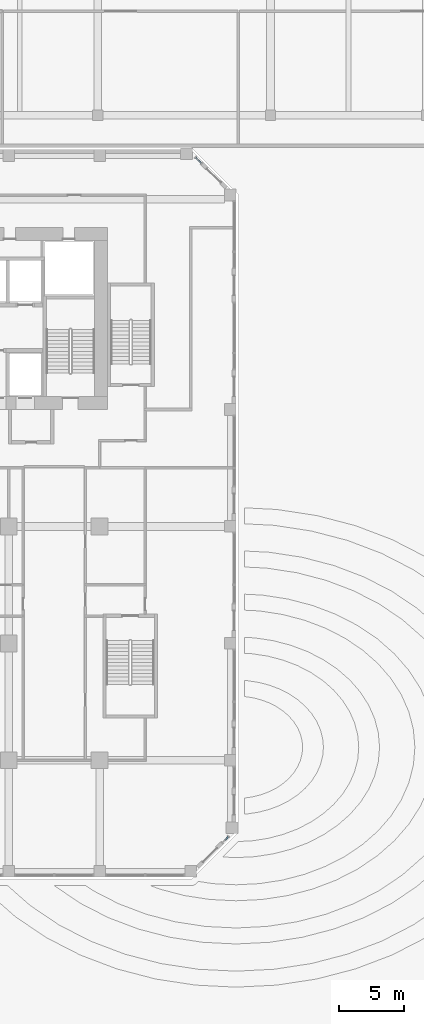
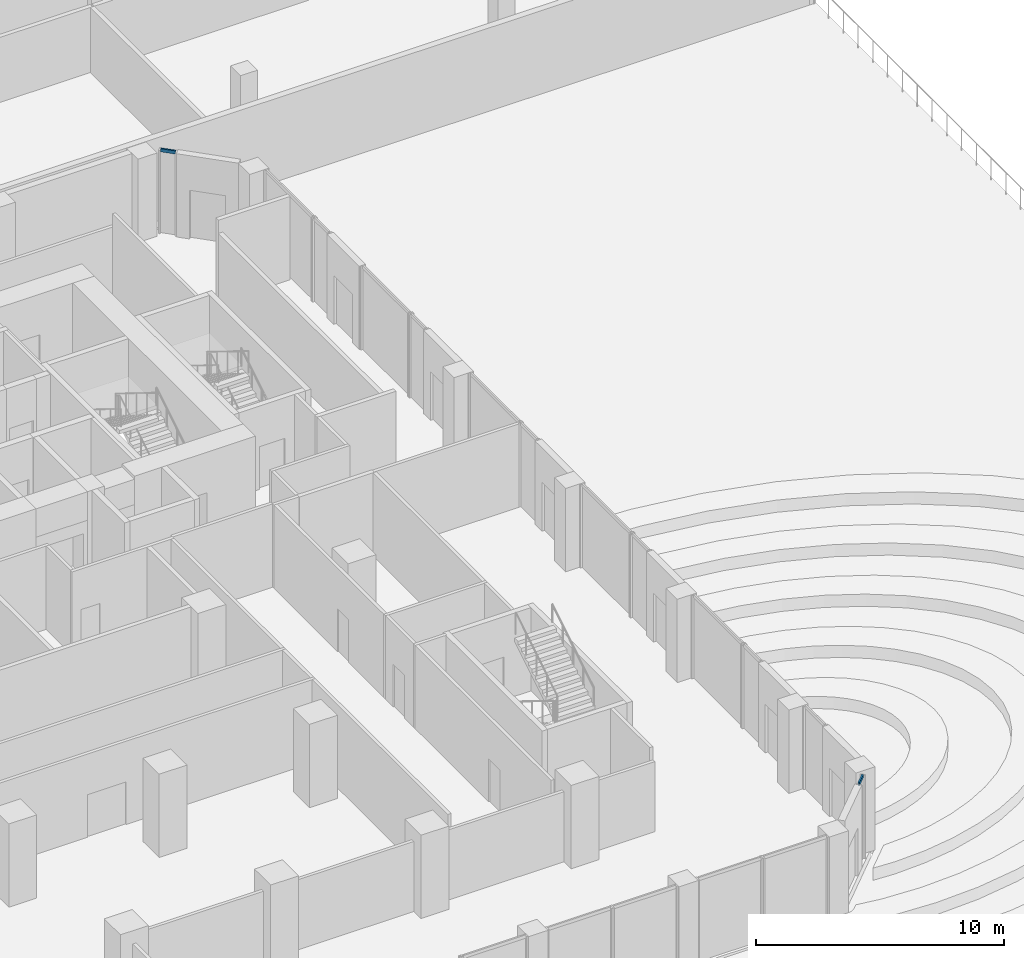
# One storey, part 11 of 38: 2 members, 2 elements without a shape of their own.
"""IFC4 building model written with IfcOpenShell, lengths in metres."""

from ifc_helpers import new_model, si_unit, direction, frame, origin, origin_2d, place, context, subcontext, project, spatial, rectangle, extrude, source, transform, mapped, material, material_profile, profile_set, type_object, element, aggregate, save


model = new_model("IFC4")

# Units and contexts
model_context = context("Model", 3, precision=1e-05, world=origin(), true_north=direction((0.0, 1.0)))
body_context = subcontext(model_context, "Body", "Model", "MODEL_VIEW")
ifc_project = project(units=[si_unit("LENGTHUNIT", "METRE"), si_unit("AREAUNIT", "SQUARE_METRE"), si_unit("VOLUMEUNIT", "CUBIC_METRE"), si_unit("PLANEANGLEUNIT", "RADIAN"), si_unit("MASSUNIT", "GRAM", prefix="KILO")], contexts=[model_context])

# Site, building, storey
site_placement = place(None, origin())
site = spatial("IfcSite", under=ifc_project, at=site_placement, CompositionType="ELEMENT")
building_placement = place(site_placement, origin())
building = spatial("IfcBuilding", under=site, at=building_placement, Name="Kilnfold Tower and Market Hall", CompositionType="ELEMENT")
storey_placement = place(building_placement, frame((0.0, 0.0, 9.0)))
storey = spatial("IfcBuildingStorey", under=building, at=storey_placement, Name="L01", CompositionType="ELEMENT", Elevation=9.0)

# Curtain wall, member
ifc_material_1 = material(Name="Aluminium and double glazing", Category="aluminium")
curtain_wall_type = type_object("IfcCurtainWallType", Name="CW BASE PODIUM GLAZING", PredefinedType="NOTDEFINED", material=ifc_material_1)
curtain_wall_1_placement = place(storey_placement, origin())
curtain_wall_1 = element("IfcCurtainWall", 1, at=curtain_wall_1_placement, inside=storey, type_object=curtain_wall_type, Name="Curtain wall CW4 L01 SE", PredefinedType="NOTDEFINED")
ifc_material_2 = material(Name="Aluminium", Category="aluminium")
ifc_material_profile = material_profile(ifc_material_2, rectangle(XDim=0.070068359375, YDim=0.159912109375, at=origin_2d()), Name="TRANSOM 70x160")
ifc_profile_set = profile_set([ifc_material_profile], Name="Aluminium")
member_type = type_object("IfcMemberType", Name="TRANSOM 70X160", PredefinedType="USERDEFINED", material=ifc_profile_set)
shared_shape = source(origin(), body_context, "Body", "SweptSolid", [
    extrude(rectangle(XDim=0.070068359375, YDim=0.159912109375, at=origin_2d()), origin(), (0.0, 0.0, 1.0), 0.619140625),
])
member_1_placement = place(storey_placement, frame((26.956787109375, -25.3310546875, 4.06494140625), z_axis=(0.707106781187, 0.707106781187, 0.0), x_axis=(-0.707106781187, 0.707106781187, 0.0)))
member_1 = element("IfcMember", 2, at=member_1_placement, type_object=member_type, Name="CW4 transom 1.2", ObjectType="TRANSOM", PredefinedType="USERDEFINED", context=body_context, shape_type="MappedRepresentation", body=[
    mapped(shared_shape, transform((0.0, 0.0, 0.0))),
])
aggregate(curtain_wall_1, [member_1])

curtain_wall_2_placement = place(storey_placement, origin())
curtain_wall_2 = element("IfcCurtainWall", 3, at=curtain_wall_2_placement, inside=storey, type_object=curtain_wall_type, Name="Curtain wall CW4 L01 NE", PredefinedType="NOTDEFINED")
member_2_placement = place(storey_placement, frame((25.3310546875, 26.956787109375, 4.06494140625), z_axis=(-0.707106781187, 0.707106781187, 0.0), x_axis=(-0.707106781187, -0.707106781187, 0.0)))
member_2 = element("IfcMember", 4, at=member_2_placement, type_object=member_type, Name="CW4 transom 1.2", ObjectType="TRANSOM", PredefinedType="USERDEFINED", context=body_context, shape_type="MappedRepresentation", body=[
    mapped(shared_shape, transform((0.0, 0.0, 0.0))),
])
aggregate(curtain_wall_2, [member_2])

save(model, "model.ifc")
